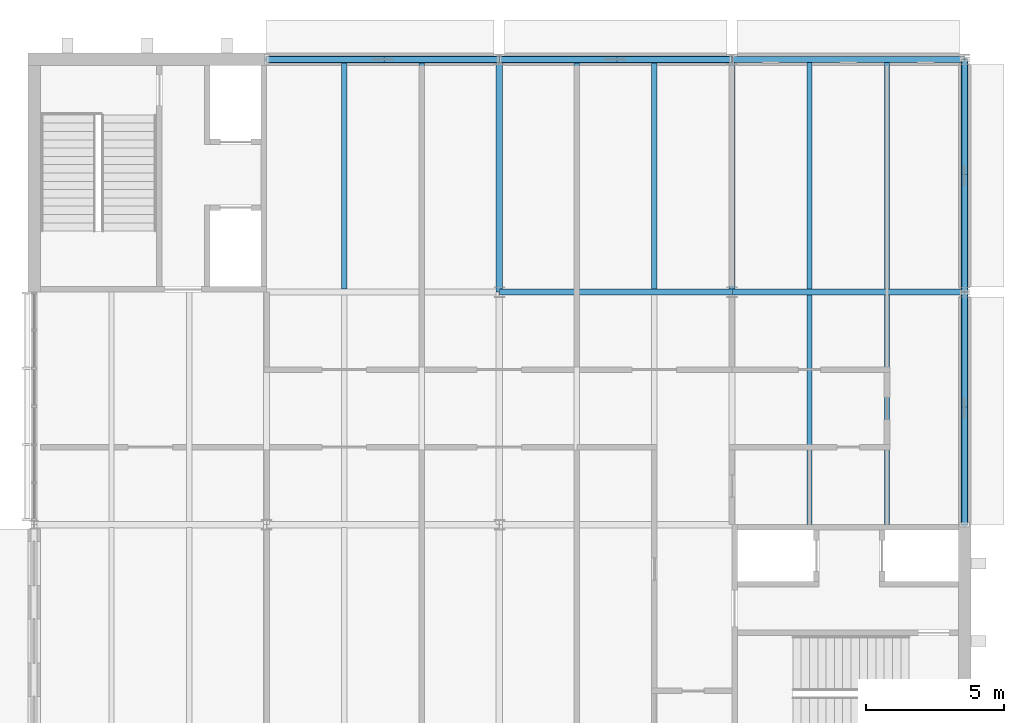
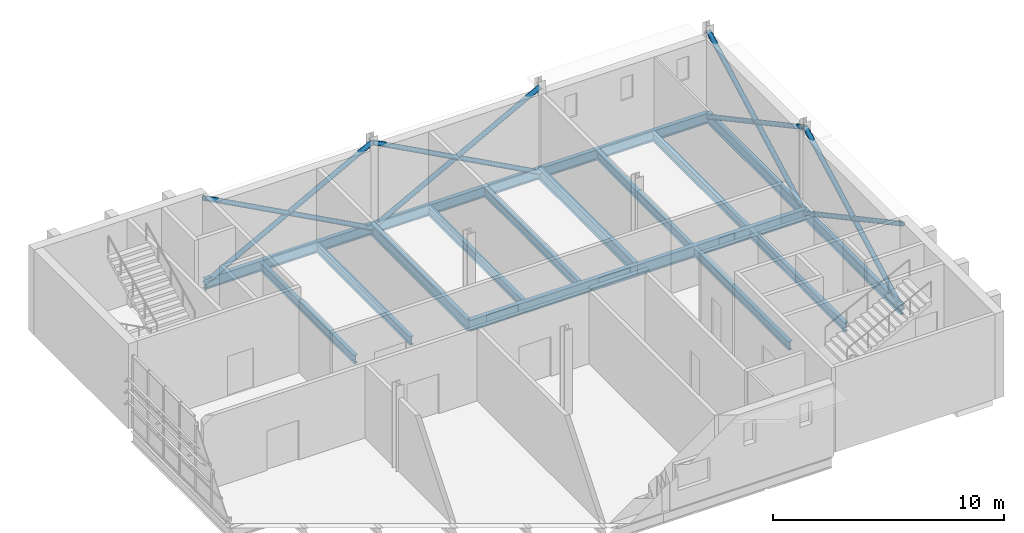
# One storey, part 20 of 42: 17 beams, 12 members.
"""IFC4 building model written with IfcOpenShell, lengths in metres."""

from ifc_helpers import new_model, si_unit, direction, frame, origin, origin_2d, place, context, subcontext, project, spatial, hollow_circle, i_section, extrude, material, material_profile, profile_set, type_object, element, save


model = new_model("IFC4")

# Units and contexts
model_context = context("Model", 3, precision=1e-05, world=origin(), true_north=direction((0.0, 1.0)))
body_context = subcontext(model_context, "Body", "Model", "MODEL_VIEW")
ifc_project = project(units=[si_unit("LENGTHUNIT", "METRE"), si_unit("AREAUNIT", "SQUARE_METRE"), si_unit("VOLUMEUNIT", "CUBIC_METRE"), si_unit("PLANEANGLEUNIT", "RADIAN"), si_unit("MASSUNIT", "GRAM", prefix="KILO")], contexts=[model_context])

# Site, building, storey
site_placement = place(None, origin())
site = spatial("IfcSite", under=ifc_project, at=site_placement, CompositionType="ELEMENT")
building_placement = place(site_placement, origin())
building = spatial("IfcBuilding", under=site, at=building_placement, Name="Ardhachandra Cancer Care Centre", CompositionType="ELEMENT")
storey_placement = place(building_placement, frame((0.0, 0.0, 22.5)))
storey = spatial("IfcBuildingStorey", under=building, at=storey_placement, Name="L05", CompositionType="ELEMENT", Elevation=22.5)

# Beams
ifc_material_1 = material(Name="Steel E350 (IS 2062)", Category="steel")
ifc_material_profile_1 = material_profile(ifc_material_1, i_section(OverallWidth=0.19189453125, OverallDepth=0.4560546875, WebThickness=0.010986328125, FlangeThickness=0.017578125, FilletRadius=0.02099609375, at=origin_2d()), Name="NPB 450x190x92.36")
ifc_profile_set_1 = profile_set([ifc_material_profile_1], Name="Steel E350 (IS 2062)")
beam_type_1 = type_object("IfcBeamType", Name="Beam NPB 450x190x92.36", PredefinedType="BEAM", material=ifc_profile_set_1)
for number, where, z_axis, x_axis, name in (
    (1, (122.800048828125, 96.7099609375, -0.3779296875), (0.0, 1.0, 0.0), (-1.0, 0.0, 0.0), "Secondary L14-M14@2800"),
    (2, (125.60009765625, 96.7099609375, -0.3779296875), (0.0, 1.0, 0.0), (-1.0, 0.0, 0.0), "Secondary L14-M14@5600"),
    (3, (131.199951171875, 96.7099609375, -0.3779296875), (0.0, 1.0, 0.0), (-1.0, 0.0, 0.0), "Secondary L15-M15@2800"),
    (4, (134.0, 96.7099609375, -0.3779296875), (0.0, 1.0, 0.0), (-1.0, 0.0, 0.0), "Secondary L15-M15@5600"),
):
    element("IfcBeam", number, at=place(storey_placement, frame(where, z_axis=z_axis, x_axis=x_axis)), inside=storey, type_object=beam_type_1, Name=name, PredefinedType="BEAM", context=body_context, shape_type="SweptSolid", body=[
        extrude(i_section(OverallWidth=0.19189453125, OverallDepth=0.4560546875, WebThickness=0.010986328125, FlangeThickness=0.017578125, FilletRadius=0.02099609375, at=origin_2d()), origin(), (0.0, 0.0, 1.0), 8.18505859375),
    ])
beam_1_placement = place(storey_placement, frame((139.60009765625, 88.199951171875, -0.3779296875), z_axis=(0.0, 1.0, 0.0), x_axis=(-1.0, 0.0, 0.0)))
element("IfcBeam", 5, at=beam_1_placement, inside=storey, type_object=beam_type_1, Name="Secondary K16-L16@2800", PredefinedType="BEAM", context=body_context, shape_type="SweptSolid", body=[
    extrude(i_section(OverallWidth=0.19189453125, OverallDepth=0.4560546875, WebThickness=0.010986328125, FlangeThickness=0.017578125, FilletRadius=0.02099609375, at=origin_2d()), origin(), (0.0, 0.0, 1.0), 8.2900390625),
])
beam_2_placement = place(storey_placement, frame((139.60009765625, 96.7099609375, -0.3779296875), z_axis=(0.0, 1.0, 0.0), x_axis=(-1.0, 0.0, 0.0)))
element("IfcBeam", 6, at=beam_2_placement, inside=storey, type_object=beam_type_1, Name="Secondary L16-M16@2800", PredefinedType="BEAM", context=body_context, shape_type="SweptSolid", body=[
    extrude(i_section(OverallWidth=0.19189453125, OverallDepth=0.4560546875, WebThickness=0.010986328125, FlangeThickness=0.017578125, FilletRadius=0.02099609375, at=origin_2d()), origin(), (0.0, 0.0, 1.0), 8.18505859375),
])
beam_3_placement = place(storey_placement, frame((142.39990234375, 88.199951171875, -0.3779296875), z_axis=(0.0, 1.0, 0.0), x_axis=(-1.0, 0.0, 0.0)))
element("IfcBeam", 7, at=beam_3_placement, inside=storey, type_object=beam_type_1, Name="Secondary K16-L16@5600", PredefinedType="BEAM", context=body_context, shape_type="SweptSolid", body=[
    extrude(i_section(OverallWidth=0.19189453125, OverallDepth=0.4560546875, WebThickness=0.010986328125, FlangeThickness=0.017578125, FilletRadius=0.02099609375, at=origin_2d()), origin(), (0.0, 0.0, 1.0), 8.2900390625),
])
beam_4_placement = place(storey_placement, frame((142.39990234375, 96.7099609375, -0.3779296875), z_axis=(0.0, 1.0, 0.0), x_axis=(-1.0, 0.0, 0.0)))
element("IfcBeam", 8, at=beam_4_placement, inside=storey, type_object=beam_type_1, Name="Secondary L16-M16@5600", PredefinedType="BEAM", context=body_context, shape_type="SweptSolid", body=[
    extrude(i_section(OverallWidth=0.19189453125, OverallDepth=0.4560546875, WebThickness=0.010986328125, FlangeThickness=0.017578125, FilletRadius=0.02099609375, at=origin_2d()), origin(), (0.0, 0.0, 1.0), 8.18505859375),
])
ifc_material_2 = material(Name="Steel E350 (IS 2062)", Category="steel")
ifc_material_profile_2 = material_profile(ifc_material_2, i_section(OverallWidth=0.2099609375, OverallDepth=0.550048828125, WebThickness=0.010986328125, FlangeThickness=0.01708984375, FilletRadius=0.02392578125, at=origin_2d()), Name="NPB 550x210x105.52")
ifc_profile_set_2 = profile_set([ifc_material_profile_2], Name="Steel E350 (IS 2062)")
beam_type_2 = type_object("IfcBeamType", Name="Beam NPB 550x210x105.52", PredefinedType="BEAM", material=ifc_profile_set_2)
beam_5_placement = place(storey_placement, frame((120.0, 105.0, -0.425048828125), z_axis=(1.0, 0.0, 0.0), x_axis=(0.0, 1.0, 0.0)))
element("IfcBeam", 9, at=beam_5_placement, inside=storey, type_object=beam_type_2, Name="Edge girder M14-M15", PredefinedType="BEAM", context=body_context, shape_type="SweptSolid", body=[
    extrude(i_section(OverallWidth=0.2099609375, OverallDepth=0.550048828125, WebThickness=0.010986328125, FlangeThickness=0.01708984375, FilletRadius=0.02392578125, at=origin_2d()), origin(), (0.0, 0.0, 1.0), 8.39990234375),
])
beam_6_placement = place(storey_placement, frame((128.39990234375, 105.0, -0.425048828125), z_axis=(1.0, 0.0, 0.0), x_axis=(0.0, 1.0, 0.0)))
element("IfcBeam", 10, at=beam_6_placement, inside=storey, type_object=beam_type_2, Name="Edge girder M15-M16", PredefinedType="BEAM", context=body_context, shape_type="SweptSolid", body=[
    extrude(i_section(OverallWidth=0.2099609375, OverallDepth=0.550048828125, WebThickness=0.010986328125, FlangeThickness=0.01708984375, FilletRadius=0.02392578125, at=origin_2d()), origin(), (0.0, 0.0, 1.0), 8.400146484375),
])
beam_7_placement = place(storey_placement, frame((136.800048828125, 105.0, -0.425048828125), z_axis=(1.0, 0.0, 0.0), x_axis=(0.0, 1.0, 0.0)))
element("IfcBeam", 11, at=beam_7_placement, inside=storey, type_object=beam_type_2, Name="Edge girder M16-M17", PredefinedType="BEAM", context=body_context, shape_type="SweptSolid", body=[
    extrude(i_section(OverallWidth=0.2099609375, OverallDepth=0.550048828125, WebThickness=0.010986328125, FlangeThickness=0.01708984375, FilletRadius=0.02392578125, at=origin_2d()), origin(), (0.0, 0.0, 1.0), 8.39990234375),
])
beam_8_placement = place(storey_placement, frame((145.199951171875, 88.199951171875, -0.425048828125), z_axis=(0.0, 1.0, 0.0), x_axis=(-1.0, 0.0, 0.0)))
element("IfcBeam", 12, at=beam_8_placement, inside=storey, type_object=beam_type_2, Name="Edge girder K17-L17", PredefinedType="BEAM", context=body_context, shape_type="SweptSolid", body=[
    extrude(i_section(OverallWidth=0.2099609375, OverallDepth=0.550048828125, WebThickness=0.010986328125, FlangeThickness=0.01708984375, FilletRadius=0.02392578125, at=origin_2d()), origin(), (0.0, 0.0, 1.0), 8.400146484375),
])
beam_9_placement = place(storey_placement, frame((145.199951171875, 96.60009765625, -0.425048828125), z_axis=(0.0, 1.0, 0.0), x_axis=(-1.0, 0.0, 0.0)))
element("IfcBeam", 13, at=beam_9_placement, inside=storey, type_object=beam_type_2, Name="Edge girder L17-M17", PredefinedType="BEAM", context=body_context, shape_type="SweptSolid", body=[
    extrude(i_section(OverallWidth=0.2099609375, OverallDepth=0.550048828125, WebThickness=0.010986328125, FlangeThickness=0.01708984375, FilletRadius=0.02392578125, at=origin_2d()), origin(), (0.0, 0.0, 1.0), 8.39990234375),
])
ifc_material_3 = material(Name="Steel E350 (IS 2062)", Category="steel")
ifc_material_profile_3 = material_profile(ifc_material_3, i_section(OverallWidth=0.219970703125, OverallDepth=0.60009765625, WebThickness=0.011962890625, FlangeThickness=0.01904296875, FilletRadius=0.02392578125, at=origin_2d()), Name="NPB 600x220x122.45")
ifc_profile_set_3 = profile_set([ifc_material_profile_3], Name="Steel E350 (IS 2062)")
beam_type_3 = type_object("IfcBeamType", Name="Beam NPB 600x220x122.45", PredefinedType="BEAM", material=ifc_profile_set_3)
beam_10_placement = place(storey_placement, frame((128.39990234375, 96.60009765625, -0.449951171875), z_axis=(1.0, 0.0, 0.0), x_axis=(0.0, 1.0, 0.0)))
element("IfcBeam", 14, at=beam_10_placement, inside=storey, type_object=beam_type_3, Name="Girder L15-L16", PredefinedType="BEAM", context=body_context, shape_type="SweptSolid", body=[
    extrude(i_section(OverallWidth=0.219970703125, OverallDepth=0.60009765625, WebThickness=0.011962890625, FlangeThickness=0.01904296875, FilletRadius=0.02392578125, at=origin_2d()), origin(), (0.0, 0.0, 1.0), 8.400146484375),
])
for number, where, z_axis, x_axis, name in (
    (15, (136.800048828125, 96.60009765625, -0.449951171875), (1.0, 0.0, 0.0), (0.0, 1.0, 0.0), "Girder L16-L17"),
    (16, (128.39990234375, 96.60009765625, -0.449951171875), (0.0, 1.0, 0.0), (-1.0, 0.0, 0.0), "Girder L15-M15"),
    (17, (136.800048828125, 96.60009765625, -0.449951171875), (0.0, 1.0, 0.0), (-1.0, 0.0, 0.0), "Girder L16-M16"),
):
    element("IfcBeam", number, at=place(storey_placement, frame(where, z_axis=z_axis, x_axis=x_axis)), inside=storey, type_object=beam_type_3, Name=name, PredefinedType="BEAM", context=body_context, shape_type="SweptSolid", body=[
        extrude(i_section(OverallWidth=0.219970703125, OverallDepth=0.60009765625, WebThickness=0.011962890625, FlangeThickness=0.01904296875, FilletRadius=0.02392578125, at=origin_2d()), origin(), (0.0, 0.0, 1.0), 8.39990234375),
    ])

# Members
ifc_material_4 = material(Name="Steel E350 (IS 2062)", Category="steel")
ifc_material_profile_4 = material_profile(ifc_material_4, hollow_circle(Radius=0.122314453125, WallThickness=0.010009765625, at=origin_2d()), Name="CHS 244.5x10.0")
ifc_profile_set_4 = profile_set([ifc_material_profile_4], Name="Steel E350 (IS 2062)")
member_type = type_object("IfcMemberType", Name="Brace CHS 244.5x10.0", PredefinedType="BRACE", material=ifc_profile_set_4)
member_1_placement = place(storey_placement, frame((120.0, 105.0, -0.425048828125), z_axis=(0.880378238769, 0.0, 0.474272239016), x_axis=(0.0, 1.0, 0.0)))
element("IfcMember", 18, at=member_1_placement, inside=storey, type_object=member_type, Name="Brace V5-X1050-1200 L05 A", PredefinedType="BRACE", context=body_context, shape_type="SweptSolid", body=[
    extrude(hollow_circle(Radius=0.122314453125, WallThickness=0.010009765625, at=origin_2d()), origin(), (0.0, 0.0, 1.0), 9.541259765625),
])
member_2_placement = place(storey_placement, frame((128.39990234375, 105.0, -0.425048828125), z_axis=(-0.880388922632, 0.0, 0.474252406326), x_axis=(0.0, -1.0, 0.0)))
element("IfcMember", 19, at=member_2_placement, inside=storey, type_object=member_type, Name="Brace V5-X1050-1200 L05 B1", PredefinedType="BRACE", context=body_context, shape_type="SweptSolid", body=[
    extrude(hollow_circle(Radius=0.122314453125, WallThickness=0.010009765625, at=origin_2d()), origin(), (0.0, 0.0, 1.0), 4.7705078125),
])
member_3_placement = place(storey_placement, frame((124.199951171875, 105.0, 1.83740234375), z_axis=(-0.880367554719, 0.0, 0.474292070984), x_axis=(0.0, -1.0, 0.0)))
element("IfcMember", 20, at=member_3_placement, inside=storey, type_object=member_type, Name="Brace V5-X1050-1200 L05 B2", PredefinedType="BRACE", context=body_context, shape_type="SweptSolid", body=[
    extrude(hollow_circle(Radius=0.122314453125, WallThickness=0.010009765625, at=origin_2d()), origin(), (0.0, 0.0, 1.0), 4.770751953125),
])
member_4_placement = place(storey_placement, frame((128.39990234375, 105.0, -0.425048828125), z_axis=(0.880383994174, 0.0, 0.474261555265), x_axis=(0.0, 1.0, 0.0)))
element("IfcMember", 21, at=member_4_placement, inside=storey, type_object=member_type, Name="Brace V5-X1050-1284 L05 A", PredefinedType="BRACE", context=body_context, shape_type="SweptSolid", body=[
    extrude(hollow_circle(Radius=0.122314453125, WallThickness=0.010009765625, at=origin_2d()), origin(), (0.0, 0.0, 1.0), 9.54150390625),
])
member_5_placement = place(storey_placement, frame((136.800048828125, 105.0, -0.425048828125), z_axis=(-0.880388922632, 0.0, 0.474252406326), x_axis=(0.0, -1.0, 0.0)))
element("IfcMember", 22, at=member_5_placement, inside=storey, type_object=member_type, Name="Brace V5-X1050-1284 L05 B1", PredefinedType="BRACE", context=body_context, shape_type="SweptSolid", body=[
    extrude(hollow_circle(Radius=0.122314453125, WallThickness=0.010009765625, at=origin_2d()), origin(), (0.0, 0.0, 1.0), 4.7705078125),
])
member_6_placement = place(storey_placement, frame((132.60009765625, 105.0, 1.83740234375), z_axis=(-0.880379065962, 0.0, 0.474270703519), x_axis=(0.0, -1.0, 0.0)))
element("IfcMember", 23, at=member_6_placement, inside=storey, type_object=member_type, Name="Brace V5-X1050-1284 L05 B2", PredefinedType="BRACE", context=body_context, shape_type="SweptSolid", body=[
    extrude(hollow_circle(Radius=0.122314453125, WallThickness=0.010009765625, at=origin_2d()), origin(), (0.0, 0.0, 1.0), 4.77099609375),
])
member_7_placement = place(storey_placement, frame((145.199951171875, 88.199951171875, -0.425048828125), z_axis=(0.0, 0.880383994174, 0.474261555265), x_axis=(-1.0, 0.0, 0.0)))
element("IfcMember", 24, at=member_7_placement, inside=storey, type_object=member_type, Name="Brace V5-Y1452-882 L05 A", PredefinedType="BRACE", context=body_context, shape_type="SweptSolid", body=[
    extrude(hollow_circle(Radius=0.122314453125, WallThickness=0.010009765625, at=origin_2d()), origin(), (0.0, 0.0, 1.0), 9.54150390625),
])
for number, where, z_axis, x_axis, name in (
    (25, (145.199951171875, 96.60009765625, -0.425048828125), (0.0, -0.880400432229, 0.474231039611), (1.0, 0.0, 0.0), "Brace V5-Y1452-882 L05 B1"),
    (26, (145.199951171875, 92.39990234375, 1.83740234375), (0.0, -0.880367554719, 0.474292070984), (1.0, 0.0, 0.0), "Brace V5-Y1452-882 L05 B2"),
):
    element("IfcMember", number, at=place(storey_placement, frame(where, z_axis=z_axis, x_axis=x_axis)), inside=storey, type_object=member_type, Name=name, PredefinedType="BRACE", context=body_context, shape_type="SweptSolid", body=[
        extrude(hollow_circle(Radius=0.122314453125, WallThickness=0.010009765625, at=origin_2d()), origin(), (0.0, 0.0, 1.0), 4.770751953125),
    ])
member_8_placement = place(storey_placement, frame((145.199951171875, 96.60009765625, -0.425048828125), z_axis=(0.0, 0.880378238769, 0.474272239016), x_axis=(-1.0, 0.0, 0.0)))
element("IfcMember", 27, at=member_8_placement, inside=storey, type_object=member_type, Name="Brace V5-Y1452-966 L05 A", PredefinedType="BRACE", context=body_context, shape_type="SweptSolid", body=[
    extrude(hollow_circle(Radius=0.122314453125, WallThickness=0.010009765625, at=origin_2d()), origin(), (0.0, 0.0, 1.0), 9.541259765625),
])
member_9_placement = place(storey_placement, frame((145.199951171875, 105.0, -0.425048828125), z_axis=(0.0, -0.880388922632, 0.474252406326), x_axis=(1.0, 0.0, 0.0)))
element("IfcMember", 28, at=member_9_placement, inside=storey, type_object=member_type, Name="Brace V5-Y1452-966 L05 B1", PredefinedType="BRACE", context=body_context, shape_type="SweptSolid", body=[
    extrude(hollow_circle(Radius=0.122314453125, WallThickness=0.010009765625, at=origin_2d()), origin(), (0.0, 0.0, 1.0), 4.7705078125),
])
member_10_placement = place(storey_placement, frame((145.199951171875, 100.800048828125, 1.83740234375), z_axis=(0.0, -0.880367554719, 0.474292070984), x_axis=(1.0, 0.0, 0.0)))
element("IfcMember", 29, at=member_10_placement, inside=storey, type_object=member_type, Name="Brace V5-Y1452-966 L05 B2", PredefinedType="BRACE", context=body_context, shape_type="SweptSolid", body=[
    extrude(hollow_circle(Radius=0.122314453125, WallThickness=0.010009765625, at=origin_2d()), origin(), (0.0, 0.0, 1.0), 4.770751953125),
])

save(model, "model.ifc")
